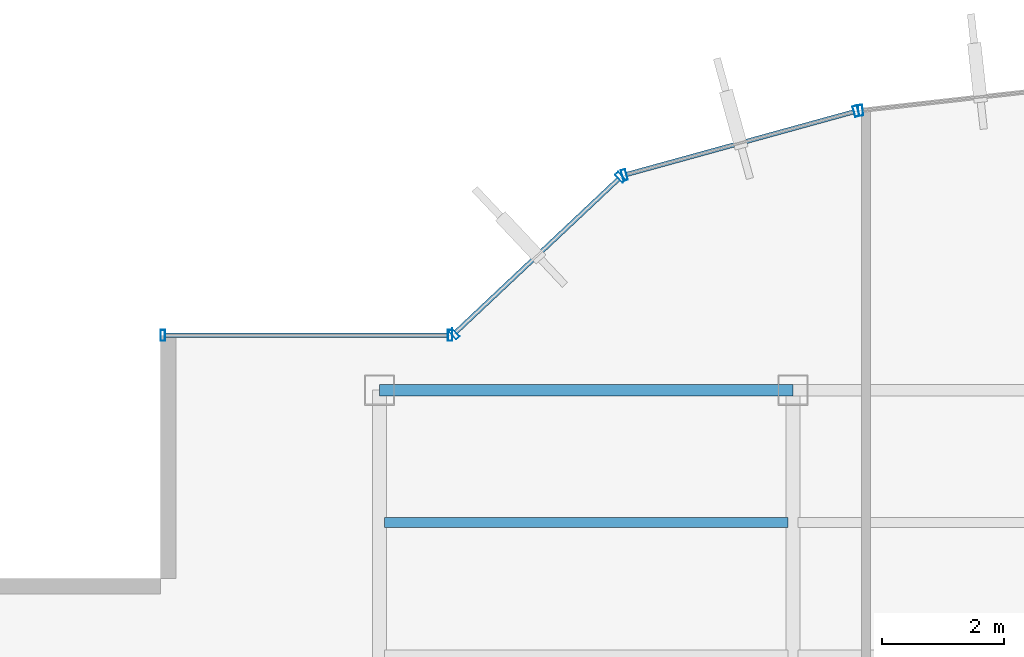
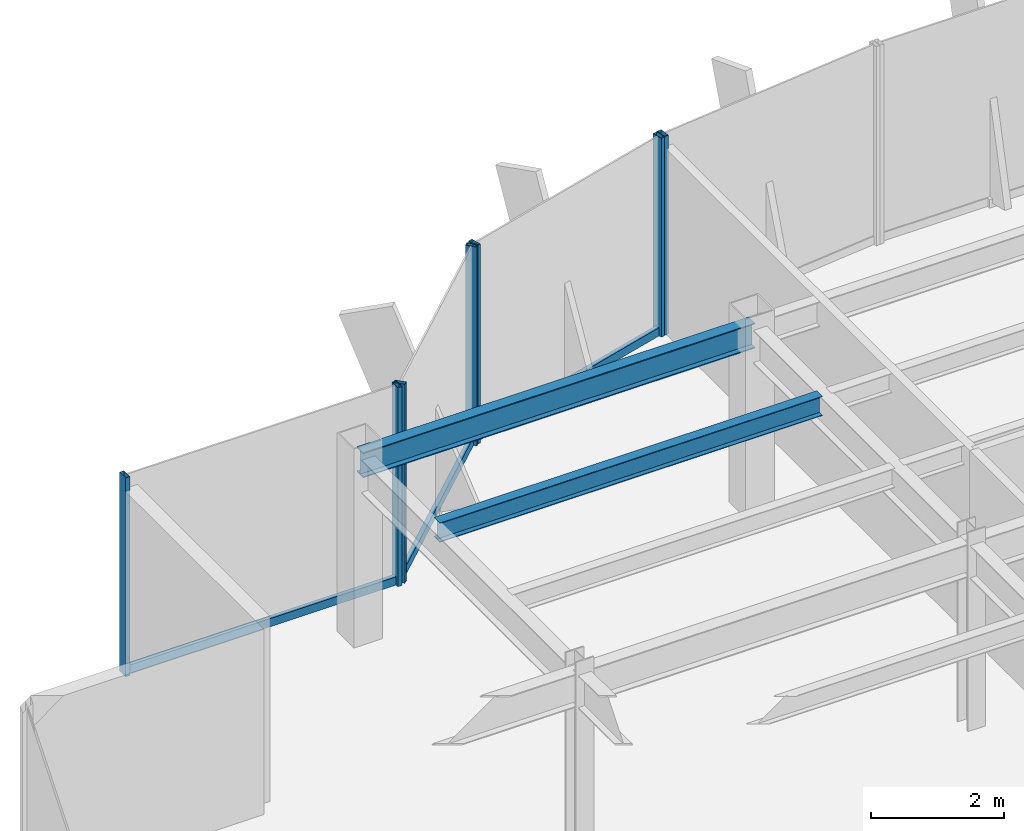
# One storey, part 12 of 22: 10 members, 2 beams, 4 elements without a shape of their own.
"""IFC4 building model written with IfcOpenShell, lengths in metres."""

from ifc_helpers import new_model, si_unit, derived_unit, direction, frame, origin, origin_2d, place, context, subcontext, project, spatial, hollow_rectangle, i_section, extrude, source, transform, mapped, material, material_profile, profile_set, type_object, element, aggregate, save


model = new_model("IFC4")

# Units and contexts
model_context = context("Model", 3, precision=1e-05, world=origin(), true_north=direction((0.0, 1.0)))
body_context = subcontext(model_context, "Body", "Model", "MODEL_VIEW")
ifc_project = project(units=[si_unit("LENGTHUNIT", "METRE"), si_unit("AREAUNIT", "SQUARE_METRE"), si_unit("VOLUMEUNIT", "CUBIC_METRE"), si_unit("PLANEANGLEUNIT", "RADIAN"), si_unit("MASSUNIT", "GRAM", prefix="KILO"), derived_unit("THERMALTRANSMITTANCEUNIT", [(si_unit("POWERUNIT", "WATT"), 1), (si_unit("LENGTHUNIT", "METRE"), -2), (si_unit("THERMODYNAMICTEMPERATUREUNIT", "KELVIN"), -1)])], contexts=[model_context])

# Site, building, storey
site_placement = place(None, origin())
site = spatial("IfcSite", under=ifc_project, at=site_placement, CompositionType="ELEMENT")
building_placement = place(site_placement, origin())
building = spatial("IfcBuilding", under=site, at=building_placement, Name="Skarnbrae Concourse Arena and Tower", CompositionType="ELEMENT")
storey_placement = place(building_placement, frame((0.0, 0.0, 195.89990234375)))
storey = spatial("IfcBuildingStorey", under=building, at=storey_placement, Name="L50", CompositionType="ELEMENT", Elevation=195.89990234375)

# Beams
ifc_material_1 = material(Name="Steel CSA G40.21 350W", Category="steel")
ifc_material_profile_1 = material_profile(ifc_material_1, i_section(OverallWidth=0.19091796875, OverallDepth=0.4599609375, WebThickness=0.010009765625, FlangeThickness=0.01611328125, at=origin_2d()), Name="W460X82")
ifc_profile_set_1 = profile_set([ifc_material_profile_1], Name="Steel CSA G40.21 350W")
beam_type_1 = type_object("IfcBeamType", Name="BM-SPAN-W460X82", PredefinedType="SPANDREL", material=ifc_profile_set_1)
shared_shape_1 = source(origin(), body_context, "Body", "SweptSolid", [
    extrude(i_section(OverallWidth=0.19091796875, OverallDepth=0.4599609375, WebThickness=0.010009765625, FlangeThickness=0.01611328125, at=origin_2d()), origin(), (0.0, 0.0, 1.0), 6.7998046875),
])
beam_1_placement = place(storey_placement, frame((7.60009765625, 34.39990234375, 3.170166015625), z_axis=(1.0, 0.0, 0.0), x_axis=(0.0, 1.0, 0.0)))
element("IfcBeam", 1, at=beam_1_placement, inside=storey, type_object=beam_type_1, Name="L50 Perimeter spandrel Y34.4-1", PredefinedType="SPANDREL", context=body_context, shape_type="MappedRepresentation", body=[
    mapped(shared_shape_1, transform((0.0, 0.0, 0.0))),
])
ifc_material_profile_2 = material_profile(ifc_material_1, i_section(OverallWidth=0.1708984375, OverallDepth=0.35498046875, WebThickness=0.007080078125, FlangeThickness=0.01171875, at=origin_2d()), Name="W360X51")
ifc_profile_set_2 = profile_set([ifc_material_profile_2], Name="Steel CSA G40.21 350W")
beam_type_2 = type_object("IfcBeamType", Name="BM-JOIST-W360X51", PredefinedType="JOIST", material=ifc_profile_set_2)
shared_shape_2 = source(origin(), body_context, "Body", "SweptSolid", [
    extrude(i_section(OverallWidth=0.1708984375, OverallDepth=0.35498046875, WebThickness=0.007080078125, FlangeThickness=0.01171875, at=origin_2d()), origin(), (0.0, 0.0, 1.0), 6.64013671875),
])
beam_2_placement = place(storey_placement, frame((7.679931640625, 32.221923828125, 3.22265625), z_axis=(1.0, 0.0, 0.0), x_axis=(0.0, 1.0, 0.0)))
element("IfcBeam", 2, at=beam_2_placement, inside=storey, type_object=beam_type_2, Name="L50 Secondary floor joist 3.2.1", PredefinedType="JOIST", context=body_context, shape_type="MappedRepresentation", body=[
    mapped(shared_shape_2, transform((0.0, 0.0, 0.0))),
])

# Curtain wall, member
ifc_material_2 = material(Name="Bronze anodised aluminium 6063-T6", Category="aluminium")
curtain_wall_type = type_object("IfcCurtainWallType", Name="CW-SYS-05-HIGHZONE", PredefinedType="USERDEFINED", material=ifc_material_2)
curtain_wall_1_placement = place(storey_placement, origin())
curtain_wall_1 = element("IfcCurtainWall", 3, at=curtain_wall_1_placement, inside=storey, type_object=curtain_wall_type, Name="L50 Unitised curtain wall CW-L50-E15", ObjectType="UNITISED CURTAIN WALL", PredefinedType="USERDEFINED")
ifc_material_profile_3 = material_profile(ifc_material_2, hollow_rectangle(XDim=0.074951171875, YDim=0.14990234375, WallThickness=0.00390625, at=origin_2d()), Name="ALU-TRAN-75X150")
ifc_profile_set_3 = profile_set([ifc_material_profile_3], Name="Bronze anodised aluminium 6063-T6")
member_type_1 = type_object("IfcMemberType", Name="CWT-CW-05", PredefinedType="USERDEFINED", material=ifc_profile_set_3)
shared_shape_3 = source(origin(), body_context, "Body", "SweptSolid", [
    extrude(hollow_rectangle(XDim=0.074951171875, YDim=0.14990234375, WallThickness=0.00390625, at=origin_2d()), origin(), (0.0, 0.0, 1.0), 4.650146484375),
])
member_1_placement = place(storey_placement, frame((8.72509765625, 35.300048828125, 0.0751953125), z_axis=(-1.0, 0.0, 0.0), x_axis=(0.0, -1.0, 0.0)))
member_1 = element("IfcMember", 4, at=member_1_placement, type_object=member_type_1, Name="CW-L50-E15 Transom 1", ObjectType="TRANSOM", PredefinedType="USERDEFINED", context=body_context, shape_type="MappedRepresentation", body=[
    mapped(shared_shape_3, transform((0.0, 0.0, 0.0))),
])

curtain_wall_2_placement = place(storey_placement, origin())
curtain_wall_2 = element("IfcCurtainWall", 5, at=curtain_wall_2_placement, inside=storey, type_object=curtain_wall_type, Name="L50 Unitised curtain wall CW-L50-E14", ObjectType="UNITISED CURTAIN WALL", PredefinedType="USERDEFINED")
shared_shape_4 = source(origin(), body_context, "Body", "SweptSolid", [
    extrude(hollow_rectangle(XDim=0.074951171875, YDim=0.14990234375, WallThickness=0.00390625, at=origin_2d()), origin(), (0.0, 0.0, 1.0), 3.68212890625),
])
member_2_placement = place(storey_placement, frame((11.53564453125, 37.875244140625, 0.0751953125), z_axis=(-0.728133808476, -0.685435012933, 0.0), x_axis=(0.685435012933, -0.728133808476, 0.0)))
member_2 = element("IfcMember", 6, at=member_2_placement, type_object=member_type_1, Name="CW-L50-E14 Transom 1", ObjectType="TRANSOM", PredefinedType="USERDEFINED", context=body_context, shape_type="MappedRepresentation", body=[
    mapped(shared_shape_4, transform((0.0, 0.0, 0.0))),
])

curtain_wall_3_placement = place(storey_placement, origin())
curtain_wall_3 = element("IfcCurtainWall", 7, at=curtain_wall_3_placement, inside=storey, type_object=curtain_wall_type, Name="L50 Unitised curtain wall CW-L50-E13", ObjectType="UNITISED CURTAIN WALL", PredefinedType="USERDEFINED")
shared_shape_5 = source(origin(), body_context, "Body", "SweptSolid", [
    extrude(hollow_rectangle(XDim=0.074951171875, YDim=0.14990234375, WallThickness=0.00390625, at=origin_2d()), origin(), (0.0, 0.0, 1.0), 3.878662109375),
])
member_3_placement = place(storey_placement, frame((15.40185546875, 38.977294921875, 0.0751953125), z_axis=(-0.964042677713, -0.265747465742, 0.0), x_axis=(0.265747465742, -0.964042677713, 0.0)))
member_3 = element("IfcMember", 8, at=member_3_placement, type_object=member_type_1, Name="CW-L50-E13 Transom 1", ObjectType="TRANSOM", PredefinedType="USERDEFINED", context=body_context, shape_type="MappedRepresentation", body=[
    mapped(shared_shape_5, transform((0.0, 0.0, 0.0))),
])

curtain_wall_4_placement = place(storey_placement, origin())
curtain_wall_4 = element("IfcCurtainWall", 9, at=curtain_wall_4_placement, inside=storey, type_object=curtain_wall_type, Name="L50 Unitised curtain wall CW-L50-E12", ObjectType="UNITISED CURTAIN WALL", PredefinedType="USERDEFINED")
ifc_material_profile_4 = material_profile(ifc_material_2, hollow_rectangle(XDim=0.074951171875, YDim=0.179931640625, WallThickness=0.00390625, at=origin_2d()), Name="ALU-MULL-75X180")
ifc_profile_set_4 = profile_set([ifc_material_profile_4], Name="Bronze anodised aluminium 6063-T6")
member_type_2 = type_object("IfcMemberType", Name="CWM-CW-05", PredefinedType="MULLION", material=ifc_profile_set_4)
shared_shape_6 = source(origin(), body_context, "Body", "SweptSolid", [
    extrude(hollow_rectangle(XDim=0.074951171875, YDim=0.179931640625, WallThickness=0.00390625, at=origin_2d()), origin(), (0.0, 0.0, 1.0), 3.650146484375),
])
member_4_placement = place(storey_placement, frame((15.511474609375, 39.001220703125, 0.0), z_axis=(0.0, 0.0, 1.0), x_axis=(-0.993768891873, -0.111460259941, 0.0)))
member_4 = element("IfcMember", 10, at=member_4_placement, type_object=member_type_2, Name="CW-L50-E12 Mullion 2", PredefinedType="MULLION", context=body_context, shape_type="MappedRepresentation", body=[
    mapped(shared_shape_6, transform((0.0, 0.0, 0.0))),
])
aggregate(curtain_wall_4, [member_4])

# Member
member_5_placement = place(storey_placement, frame((15.43798828125, 38.987060546875, 0.0), z_axis=(0.0, 0.0, 1.0), x_axis=(-0.964057388766, -0.265694093207, 0.0)))
member_5 = element("IfcMember", 11, at=member_5_placement, type_object=member_type_2, Name="CW-L50-E13 Mullion 1", PredefinedType="MULLION", context=body_context, shape_type="MappedRepresentation", body=[
    mapped(shared_shape_6, transform((0.0, 0.0, 0.0))),
])

member_6_placement = place(storey_placement, frame((11.62646484375, 37.936767578125, 0.0), z_axis=(0.0, 0.0, 1.0), x_axis=(-0.964057388766, -0.265694093207, 0.0)))
member_6 = element("IfcMember", 12, at=member_6_placement, type_object=member_type_2, Name="CW-L50-E13 Mullion 2", PredefinedType="MULLION", context=body_context, shape_type="MappedRepresentation", body=[
    mapped(shared_shape_6, transform((0.0, 0.0, 0.0))),
])

aggregate(curtain_wall_3, [member_5, member_6, member_3])

member_7_placement = place(storey_placement, frame((11.56298828125, 37.90087890625, 0.0), z_axis=(0.0, 0.0, 1.0), x_axis=(-0.728130555214, -0.685438468838, 0.0)))
member_7 = element("IfcMember", 13, at=member_7_placement, type_object=member_type_2, Name="CW-L50-E14 Mullion 1", PredefinedType="MULLION", context=body_context, shape_type="MappedRepresentation", body=[
    mapped(shared_shape_6, transform((0.0, 0.0, 0.0))),
])

member_8_placement = place(storey_placement, frame((8.827392578125, 35.32568359375, 0.0), z_axis=(0.0, 0.0, 1.0), x_axis=(-0.728130555214, -0.685438468838, 0.0)))
member_8 = element("IfcMember", 14, at=member_8_placement, type_object=member_type_2, Name="CW-L50-E14 Mullion 2", PredefinedType="MULLION", context=body_context, shape_type="MappedRepresentation", body=[
    mapped(shared_shape_6, transform((0.0, 0.0, 0.0))),
])

aggregate(curtain_wall_2, [member_7, member_8, member_2])

member_9_placement = place(storey_placement, frame((8.762451171875, 35.300048828125, 0.0), z_axis=(0.0, 0.0, 1.0), x_axis=(-1.0, 0.0, 0.0)))
member_9 = element("IfcMember", 15, at=member_9_placement, type_object=member_type_2, Name="CW-L50-E15 Mullion 1", PredefinedType="MULLION", context=body_context, shape_type="MappedRepresentation", body=[
    mapped(shared_shape_6, transform((0.0, 0.0, 0.0))),
])

member_10_placement = place(storey_placement, frame((4.03759765625, 35.300048828125, 0.0), z_axis=(0.0, 0.0, 1.0), x_axis=(-1.0, 0.0, 0.0)))
member_10 = element("IfcMember", 16, at=member_10_placement, type_object=member_type_2, Name="CW-L50-E15 Mullion 2", PredefinedType="MULLION", context=body_context, shape_type="MappedRepresentation", body=[
    mapped(shared_shape_6, transform((0.0, 0.0, 0.0))),
])

aggregate(curtain_wall_1, [member_9, member_10, member_1])

save(model, "model.ifc")
